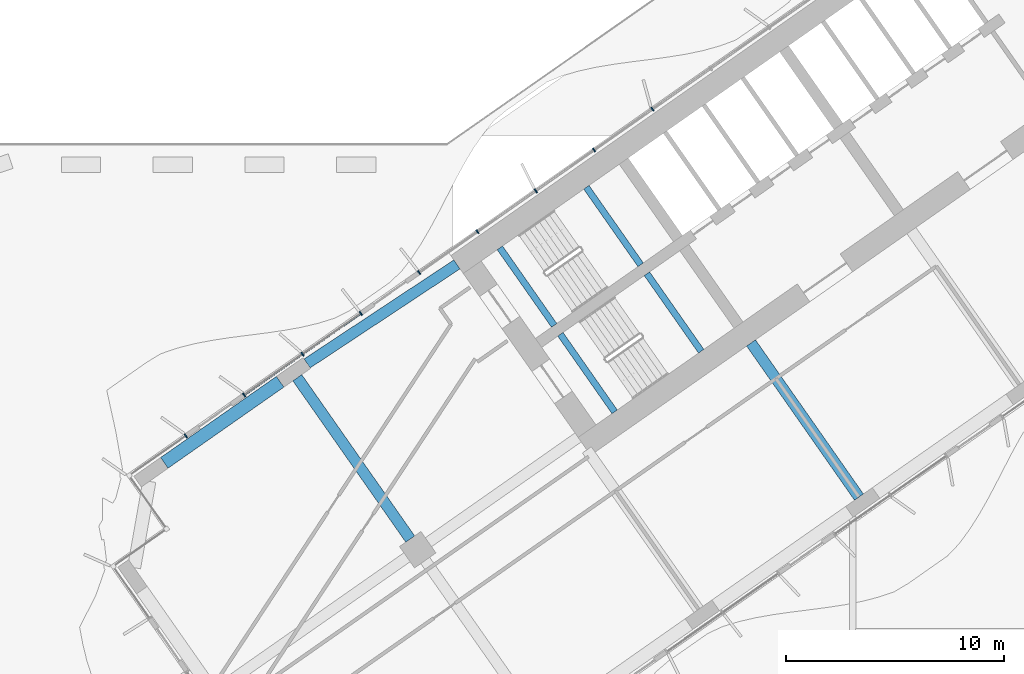
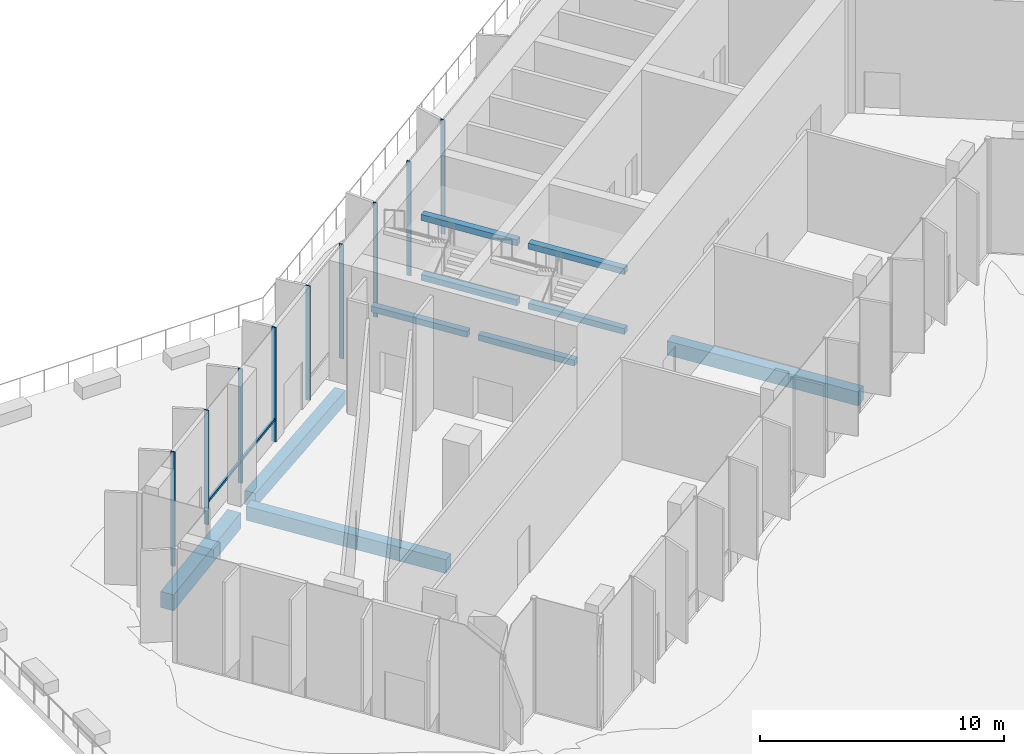
# One storey, part 8 of 27: 10 beams, 10 members, 4 elements without a shape of their own.
"""IFC4 building model written with IfcOpenShell, lengths in metres."""

from ifc_helpers import new_model, si_unit, direction, frame, origin, origin_2d, place, context, subcontext, project, spatial, rectangle, extrude, material, material_profile, profile_set, type_object, element, aggregate, save


model = new_model("IFC4")

# Units and contexts
model_context = context("Model", 3, precision=1e-05, world=origin(), true_north=direction((0.0, 1.0)))
body_context = subcontext(model_context, "Body", "Model", "MODEL_VIEW")
ifc_project = project(units=[si_unit("LENGTHUNIT", "METRE"), si_unit("AREAUNIT", "SQUARE_METRE"), si_unit("VOLUMEUNIT", "CUBIC_METRE"), si_unit("PLANEANGLEUNIT", "RADIAN"), si_unit("MASSUNIT", "GRAM", prefix="KILO")], contexts=[model_context])

# Site, building, storey
site_placement = place(None, origin())
site = spatial("IfcSite", under=ifc_project, at=site_placement, CompositionType="ELEMENT")
building_placement = place(site_placement, origin())
building = spatial("IfcBuilding", under=site, at=building_placement, Name="Tel Ilan Convention Tower", CompositionType="ELEMENT")
storey_placement = place(building_placement, frame((0.0, 0.0, 48.5)))
storey = spatial("IfcBuildingStorey", under=building, at=storey_placement, Name="L07", CompositionType="ELEMENT", Elevation=48.5)

# Beams
ifc_material_1 = material(Name="Concrete C40/50", Category="concrete")
ifc_material_profile_1 = material_profile(ifc_material_1, rectangle(XDim=0.5, YDim=0.699951171875, at=origin_2d()), Name="RC 500x700")
ifc_profile_set_1 = profile_set([ifc_material_profile_1], Name="Concrete C40/50")
beam_type_1 = type_object("IfcBeamType", Name="Beam RC 500x700 Concrete C40/50", PredefinedType="BEAM", material=ifc_profile_set_1)
beam_1_placement = place(storey_placement, frame((-34.570556640625, -12.08447265625, -0.6298828125), z_axis=(0.834273603487, 0.551350663847, 0.0), x_axis=(-0.551350663847, 0.834273603487, 0.0)))
element("IfcBeam", 1, at=beam_1_placement, inside=storey, type_object=beam_type_1, Name="L07 beam W-W-B4-core", PredefinedType="BEAM", context=body_context, shape_type="SweptSolid", body=[
    extrude(rectangle(XDim=0.5, YDim=0.699951171875, at=origin_2d()), origin(), (0.0, 0.0, 1.0), 8.2529296875),
])
beam_2_placement = place(storey_placement, frame((-9.209716796875, -18.229248046875, -0.6298828125), z_axis=(-0.573574099654, 0.819153680457, 0.0), x_axis=(-0.819153680457, -0.573574099654, 0.0)))
element("IfcBeam", 2, at=beam_2_placement, inside=storey, type_object=beam_type_1, Name="L07 beam W-W-F2-core", PredefinedType="BEAM", context=body_context, shape_type="SweptSolid", body=[
    extrude(rectangle(XDim=0.5, YDim=0.699951171875, at=origin_2d()), origin(), (0.0, 0.0, 1.0), 8.64990234375),
])
beam_3_placement = place(storey_placement, frame((-29.83349609375, -20.1572265625, -0.6298828125), z_axis=(-0.57358002233, 0.819149533348, 0.0), x_axis=(-0.819149533348, -0.57358002233, 0.0)))
element("IfcBeam", 3, at=beam_3_placement, inside=storey, type_object=beam_type_1, Name="L07 beam W-W-M4-W-B4", PredefinedType="BEAM", context=body_context, shape_type="SweptSolid", body=[
    extrude(rectangle(XDim=0.5, YDim=0.699951171875, at=origin_2d()), origin(), (0.0, 0.0, 1.0), 9.050048828125),
])
ifc_material_2 = material(Name="Concrete C40/50", Category="concrete")
ifc_material_profile_2 = material_profile(ifc_material_2, rectangle(XDim=0.60009765625, YDim=0.800048828125, at=origin_2d()), Name="RC 600x800")
ifc_profile_set_2 = profile_set([ifc_material_profile_2], Name="Concrete C40/50")
beam_type_2 = type_object("IfcBeamType", Name="Beam RC 600x800 Concrete C40/50", PredefinedType="BEAM", material=ifc_profile_set_2)
beam_4_placement = place(storey_placement, frame((-41.135498046875, -16.656494140625, -0.679931640625), z_axis=(0.819178980414, 0.573537965655, 0.0), x_axis=(-0.573537965655, 0.819178980414, 0.0)))
element("IfcBeam", 4, at=beam_4_placement, inside=storey, type_object=beam_type_2, Name="L07 beam W-W-BC-W-B4", PredefinedType="BEAM", context=body_context, shape_type="SweptSolid", body=[
    extrude(rectangle(XDim=0.60009765625, YDim=0.800048828125, at=origin_2d()), origin(), (0.0, 0.0, 1.0), 6.5),
])

# Curtain wall, members
ifc_material_3 = material(Name="Aluminium, bronze anodised", Category="aluminium")
curtain_wall_type_1 = type_object("IfcCurtainWallType", Name="CW2 STICK CURTAIN WALL, SPANDREL PANELS", PredefinedType="NOTDEFINED", material=ifc_material_3)
curtain_wall_1_placement = place(storey_placement, origin())
curtain_wall_1 = element("IfcCurtainWall", 5, at=curtain_wall_1_placement, inside=storey, type_object=curtain_wall_type_1, Name="Curtain wall CW2-10.24", PredefinedType="NOTDEFINED")
ifc_material_4 = material(Name="Aluminium, bronze anodised", Category="aluminium")
ifc_material_profile_3 = material_profile(ifc_material_4, rectangle(XDim=0.06005859375, YDim=0.199951171875, at=origin_2d()), Name="CW MULLION 60x200")
ifc_profile_set_3 = profile_set([ifc_material_profile_3], Name="Aluminium, bronze anodised")
member_type_1 = type_object("IfcMemberType", Name="CW MULLION 60x200", PredefinedType="MULLION", material=ifc_profile_set_3)
member_1_placement = place(storey_placement, frame((-18.70458984375, -0.401123046875, 0.0), z_axis=(0.0, 0.0, 1.0), x_axis=(-0.819152044289, -0.573576436351, 0.0)))
member_1 = element("IfcMember", 6, at=member_1_placement, type_object=member_type_1, Name="Mullion", PredefinedType="MULLION", context=body_context, shape_type="SweptSolid", body=[
    extrude(rectangle(XDim=0.06005859375, YDim=0.199951171875, at=origin_2d()), origin(), (0.0, 0.0, 1.0), 5.719970703125),
])
member_2_placement = place(storey_placement, frame((-21.384765625, -2.27783203125, 0.0), z_axis=(0.0, 0.0, 1.0), x_axis=(-0.819152044289, -0.573576436351, 0.0)))
member_2 = element("IfcMember", 7, at=member_2_placement, type_object=member_type_1, Name="Mullion", PredefinedType="MULLION", context=body_context, shape_type="SweptSolid", body=[
    extrude(rectangle(XDim=0.06005859375, YDim=0.199951171875, at=origin_2d()), origin(), (0.0, 0.0, 1.0), 5.719970703125),
])
member_3_placement = place(storey_placement, frame((-24.065185546875, -4.154541015625, 0.0), z_axis=(0.0, 0.0, 1.0), x_axis=(-0.819152044289, -0.573576436351, 0.0)))
member_3 = element("IfcMember", 8, at=member_3_placement, type_object=member_type_1, Name="Mullion", PredefinedType="MULLION", context=body_context, shape_type="SweptSolid", body=[
    extrude(rectangle(XDim=0.06005859375, YDim=0.199951171875, at=origin_2d()), origin(), (0.0, 0.0, 1.0), 5.719970703125),
])
member_4_placement = place(storey_placement, frame((-26.745361328125, -6.03125, 0.0), z_axis=(0.0, 0.0, 1.0), x_axis=(-0.819152044289, -0.573576436351, 0.0)))
member_4 = element("IfcMember", 9, at=member_4_placement, type_object=member_type_1, Name="Mullion", PredefinedType="MULLION", context=body_context, shape_type="SweptSolid", body=[
    extrude(rectangle(XDim=0.06005859375, YDim=0.199951171875, at=origin_2d()), origin(), (0.0, 0.0, 1.0), 5.719970703125),
])
member_5_placement = place(storey_placement, frame((-29.42578125, -7.907958984375, 0.0), z_axis=(0.0, 0.0, 1.0), x_axis=(-0.819152044289, -0.573576436351, 0.0)))
member_5 = element("IfcMember", 10, at=member_5_placement, type_object=member_type_1, Name="Mullion", PredefinedType="MULLION", context=body_context, shape_type="SweptSolid", body=[
    extrude(rectangle(XDim=0.06005859375, YDim=0.199951171875, at=origin_2d()), origin(), (0.0, 0.0, 1.0), 5.719970703125),
])
aggregate(curtain_wall_1, [member_1, member_2, member_3, member_4, member_5])

# Curtain wall, member
ifc_material_5 = material(Name="Aluminium, bronze anodised", Category="aluminium")
curtain_wall_type_2 = type_object("IfcCurtainWallType", Name="CW1 UNITISED CURTAIN WALL, HOTEL TINTED GLASS", PredefinedType="NOTDEFINED", material=ifc_material_5)
curtain_wall_2_placement = place(storey_placement, origin())
curtain_wall_2 = element("IfcCurtainWall", 11, at=curtain_wall_2_placement, inside=storey, type_object=curtain_wall_type_2, Name="Curtain wall CW1-10.25", PredefinedType="NOTDEFINED")
member_6_placement = place(storey_placement, frame((-32.10595703125, -9.78466796875, 0.0), z_axis=(0.0, 0.0, 1.0), x_axis=(-0.819152044289, -0.573576436351, 0.0)))
member_6 = element("IfcMember", 12, at=member_6_placement, type_object=member_type_1, Name="Mullion", PredefinedType="MULLION", context=body_context, shape_type="SweptSolid", body=[
    extrude(rectangle(XDim=0.06005859375, YDim=0.199951171875, at=origin_2d()), origin(), (0.0, 0.0, 1.0), 5.719970703125),
])
aggregate(curtain_wall_2, [member_6])

# Curtain wall, members
curtain_wall_3_placement = place(storey_placement, origin())
curtain_wall_3 = element("IfcCurtainWall", 13, at=curtain_wall_3_placement, inside=storey, type_object=curtain_wall_type_2, Name="Curtain wall CW1-10.26", PredefinedType="NOTDEFINED")
member_7_placement = place(storey_placement, frame((-34.7861328125, -11.66162109375, 0.0), z_axis=(0.0, 0.0, 1.0), x_axis=(-0.819152044289, -0.573576436351, 0.0)))
member_7 = element("IfcMember", 14, at=member_7_placement, type_object=member_type_1, Name="Mullion", PredefinedType="MULLION", context=body_context, shape_type="SweptSolid", body=[
    extrude(rectangle(XDim=0.06005859375, YDim=0.199951171875, at=origin_2d()), origin(), (0.0, 0.0, 1.0), 5.719970703125),
])
member_8_placement = place(storey_placement, frame((-37.466552734375, -13.538330078125, 0.0), z_axis=(0.0, 0.0, 1.0), x_axis=(-0.819152044289, -0.573576436351, 0.0)))
member_8 = element("IfcMember", 15, at=member_8_placement, type_object=member_type_1, Name="Mullion", PredefinedType="MULLION", context=body_context, shape_type="SweptSolid", body=[
    extrude(rectangle(XDim=0.06005859375, YDim=0.199951171875, at=origin_2d()), origin(), (0.0, 0.0, 1.0), 5.719970703125),
])

# Curtain wall, member
curtain_wall_4_placement = place(storey_placement, origin())
curtain_wall_4 = element("IfcCurtainWall", 16, at=curtain_wall_4_placement, inside=storey, type_object=curtain_wall_type_2, Name="Curtain wall CW1-10.27", PredefinedType="NOTDEFINED")
member_9_placement = place(storey_placement, frame((-40.146728515625, -15.4150390625, 0.0), z_axis=(0.0, 0.0, 1.0), x_axis=(-0.819152044289, -0.573576436351, 0.0)))
member_9 = element("IfcMember", 17, at=member_9_placement, type_object=member_type_1, Name="Mullion", PredefinedType="MULLION", context=body_context, shape_type="SweptSolid", body=[
    extrude(rectangle(XDim=0.06005859375, YDim=0.199951171875, at=origin_2d()), origin(), (0.0, 0.0, 1.0), 5.719970703125),
])
aggregate(curtain_wall_4, [member_9])

# Member
ifc_material_6 = material(Name="Aluminium, bronze anodised", Category="aluminium")
ifc_material_profile_4 = material_profile(ifc_material_6, rectangle(XDim=0.10009765625, YDim=0.1201171875, at=origin_2d()), Name="CW TRANSOM 100x120")
ifc_profile_set_4 = profile_set([ifc_material_profile_4], Name="Aluminium, bronze anodised")
member_type_2 = type_object("IfcMemberType", Name="CW TRANSOM 100x120", PredefinedType="USERDEFINED", material=ifc_profile_set_4)
member_10_placement = place(storey_placement, frame((-32.130615234375, -9.802001953125, 1.10009765625), z_axis=(-0.819152309549, -0.57357605752, 0.0), x_axis=(0.57357605752, -0.819152309549, 0.0)))
member_10 = element("IfcMember", 18, at=member_10_placement, type_object=member_type_2, Name="Transom", ObjectType="TRANSOM", PredefinedType="USERDEFINED", context=body_context, shape_type="SweptSolid", body=[
    extrude(rectangle(XDim=0.10009765625, YDim=0.1201171875, at=origin_2d()), origin(), (0.0, 0.0, 1.0), 6.48388671875),
])

aggregate(curtain_wall_3, [member_7, member_8, member_10])

# Beams
ifc_material_7 = material(Name="Concrete C40/50", Category="concrete")
ifc_material_profile_5 = material_profile(ifc_material_7, rectangle(XDim=0.300048828125, YDim=0.300048828125, at=origin_2d()), Name="RC 300x300")
ifc_profile_set_5 = profile_set([ifc_material_profile_5], Name="Concrete C40/50")
beam_type_3 = type_object("IfcBeamType", Name="Landing Beam RC 300x300 Concrete C40/50", PredefinedType="BEAM", material=ifc_profile_set_5)
beam_5_placement = place(storey_placement, frame((-19.242919921875, -7.553466796875, 1.14990234375), z_axis=(-0.57356780395, 0.819158088694, 0.0), x_axis=(-0.819158088694, -0.57356780395, 0.0)))
element("IfcBeam", 19, at=beam_5_placement, inside=storey, type_object=beam_type_3, Name="S1 landing beam L07.1", PredefinedType="BEAM", context=body_context, shape_type="SweptSolid", body=[
    extrude(rectangle(XDim=0.300048828125, YDim=0.300048828125, at=origin_2d()), origin(), (0.0, 0.0, 1.0), 4.35009765625),
])
beam_6_placement = place(storey_placement, frame((-23.219482421875, -10.337646484375, 2.64990234375), z_axis=(-0.573556512523, 0.819165994742, 0.0), x_axis=(-0.819165994742, -0.573556512523, 0.0)))
element("IfcBeam", 20, at=beam_6_placement, inside=storey, type_object=beam_type_3, Name="S1 landing beam L07.2", PredefinedType="BEAM", context=body_context, shape_type="SweptSolid", body=[
    extrude(rectangle(XDim=0.300048828125, YDim=0.300048828125, at=origin_2d()), origin(), (0.0, 0.0, 1.0), 4.349853515625),
])
beam_7_placement = place(storey_placement, frame((-19.242919921875, -7.553466796875, 4.14990234375), z_axis=(-0.57356780395, 0.819158088694, 0.0), x_axis=(-0.819158088694, -0.57356780395, 0.0)))
element("IfcBeam", 21, at=beam_7_placement, inside=storey, type_object=beam_type_3, Name="S1 landing beam L07.3", PredefinedType="BEAM", context=body_context, shape_type="SweptSolid", body=[
    extrude(rectangle(XDim=0.300048828125, YDim=0.300048828125, at=origin_2d()), origin(), (0.0, 0.0, 1.0), 4.35009765625),
])
for number, where, z_axis, x_axis, name in (
    (22, (-16.461181640625, -11.526123046875, 1.14990234375), (-0.573594173421, 0.819139624372, 0.0), (-0.819139624372, -0.573594173421, 0.0), "S2 landing beam L07.1"),
    (23, (-20.4375, -14.310546875, 2.64990234375), (-0.573594173421, 0.819139624372, 0.0), (-0.819139624372, -0.573594173421, 0.0), "S2 landing beam L07.2"),
    (24, (-16.461181640625, -11.526123046875, 4.14990234375), (-0.573594173421, 0.819139624372, 0.0), (-0.819139624372, -0.573594173421, 0.0), "S2 landing beam L07.3"),
):
    element("IfcBeam", number, at=place(storey_placement, frame(where, z_axis=z_axis, x_axis=x_axis)), inside=storey, type_object=beam_type_3, Name=name, PredefinedType="BEAM", context=body_context, shape_type="SweptSolid", body=[
        extrude(rectangle(XDim=0.300048828125, YDim=0.300048828125, at=origin_2d()), origin(), (0.0, 0.0, 1.0), 4.349853515625),
    ])

save(model, "model.ifc")
